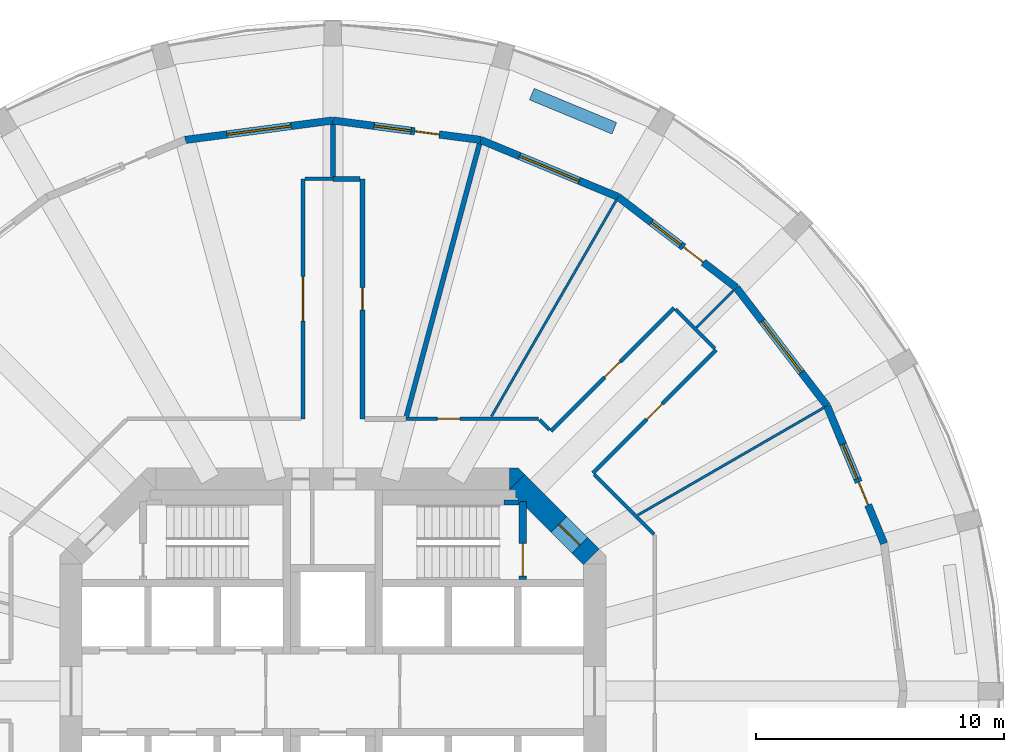
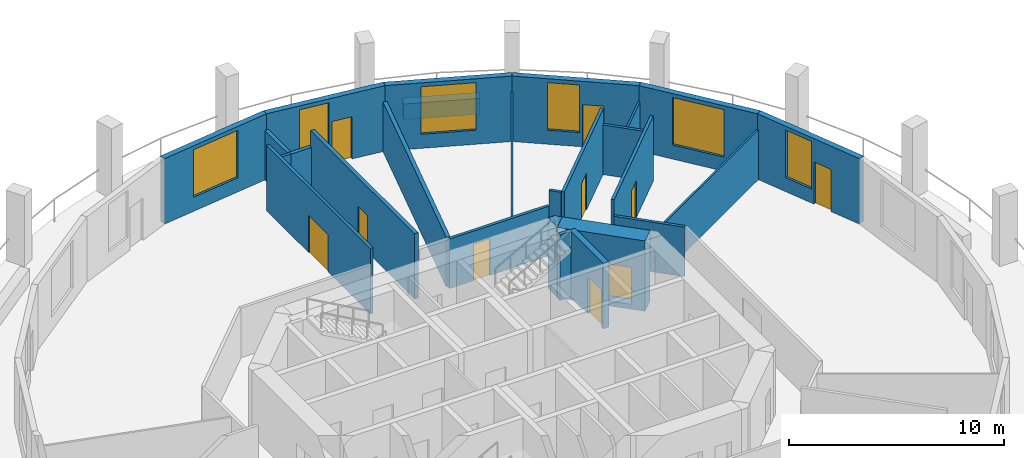
# One storey, part 6 of 9: 26 walls, 10 doors, 6 windows, 16 openings.
"""IFC4 building model written with IfcOpenShell, lengths in metres."""

from ifc_helpers import new_model, si_unit, direction, frame, frame_2d, origin, place, context, subcontext, project, spatial, polyline, rectangle, outline, extrude, material, layer, layer_set, type_object, element, fill, save


model = new_model("IFC4")

# Units and contexts
model_context = context("Model", 3, precision=1e-05, world=origin(), true_north=direction((0.0, 1.0)))
body_context = subcontext(model_context, "Body", "Model", "MODEL_VIEW")
ifc_project = project(units=[si_unit("LENGTHUNIT", "METRE"), si_unit("AREAUNIT", "SQUARE_METRE"), si_unit("VOLUMEUNIT", "CUBIC_METRE"), si_unit("PLANEANGLEUNIT", "RADIAN"), si_unit("MASSUNIT", "GRAM", prefix="KILO")], contexts=[model_context])

# Site, building, storey
site_placement = place(None, origin())
site = spatial("IfcSite", under=ifc_project, at=site_placement, CompositionType="ELEMENT")
building_placement = place(site_placement, origin())
building = spatial("IfcBuilding", under=site, at=building_placement, Name="Torre Triforio", CompositionType="ELEMENT")
storey_placement = place(building_placement, frame((0.0, 0.0, 55.0)))
storey = spatial("IfcBuildingStorey", under=building, at=storey_placement, Name="L11", CompositionType="ELEMENT", Elevation=55.0)

# Wall, opening, door
ifc_material_1 = material(Name="Concrete C60", Category="concrete")
ifc_layer_1 = layer(ifc_material_1, 0.89990234375)
ifc_layer_set_1 = layer_set([ifc_layer_1], Name="Concrete C60")
wall_type_1 = type_object("IfcWallType", Name="Core wall 900 mm C60 EI 120", PredefinedType="SHEAR", material=ifc_layer_set_1)
wall_1_placement = place(storey_placement, frame((7.418212890625, 8.418212890625, -0.280029296875), z_axis=(0.0, 0.0, 1.0), x_axis=(0.707106781187, -0.707106781187, 0.0)))
wall_1 = element("IfcWall", 1, at=wall_1_placement, inside=storey, type_object=wall_type_1, Name="Core wall", PredefinedType="SHEAR", context=body_context, shape_type="SweptSolid", body=[
    extrude(rectangle(XDim=4.24267578125, YDim=0.89990234375, at=frame_2d((2.121337890625, 0.0))), origin(), (0.0, 0.0, 1.0), 4.0),
])
opening_1_placement = place(wall_1_placement, frame((2.392578125, 0.0, 0.280029296875)))
opening_1 = element("IfcOpeningElement", 2, at=opening_1_placement, cuts=wall_1, Name="Opening ST2-EXIT", PredefinedType="OPENING", context=body_context, shape_type="SweptSolid", body=[
    extrude(rectangle(XDim=1.199951171875, YDim=2.10009765625, at=frame_2d((0.60009765625, 1.050048828125))), frame((0.0, 0.4599609375, 0.0), z_axis=(0.0, -1.0, 0.0), x_axis=(1.0, 0.0, 0.0)), (0.0, 0.0, 1.0), 0.919921875),
])
ifc_material_2 = material(Name="Hollow metal fire door leaf")
door_type_1 = type_object("IfcDoorType", Name="Stair lobby door 1200 x 2100 EI 60", OperationType="NOTDEFINED", PredefinedType="DOOR", material=ifc_material_2)
door_1_placement = place(opening_1_placement, origin())
door_1 = element("IfcDoor", 3, at=door_1_placement, inside=storey, type_object=door_type_1, Name="Core door ST2-EXIT", OperationType="SINGLE_SWING_RIGHT", OverallHeight=2.10009765625, OverallWidth=1.199951171875, PredefinedType="DOOR", context=body_context, shape_type="SweptSolid", body=[
    extrude(rectangle(XDim=1.199951171875, YDim=2.10009765625, at=frame_2d((0.60009765625, 1.050048828125))), frame((0.0, 0.02490234375, 0.0), z_axis=(0.0, -1.0, 0.0), x_axis=(1.0, 0.0, 0.0)), (0.0, 0.0, 1.0), 0.050048828125),
])
fill(opening_1, door_1)

# Wall
wall_2_placement = place(storey_placement, frame((0.0, 0.0, -0.280029296875)))
element("IfcWall", 4, at=wall_2_placement, inside=storey, type_object=wall_type_1, Name="Core wall", PredefinedType="SHEAR", context=body_context, shape_type="SweptSolid", body=[
    extrude(outline(polyline([(7.472900390625, 9.0), (7.736328125, 8.736328125), (7.1298828125, 8.1298828125), (7.1298828125, 9.0), (7.472900390625, 9.0)])), origin(), (0.0, 0.0, 1.0), 4.0),
])

# Wall, opening, door
ifc_material_3 = material(Name="Plasterboard on metal studs")
ifc_layer_2 = layer(ifc_material_3, 0.14990234375)
ifc_layer_set_2 = layer_set([ifc_layer_2], Name="Plasterboard on metal studs")
wall_type_2 = type_object("IfcWallType", Name="Corridor and tenancy wall 150 mm EI 60", PredefinedType="PARTITIONING", material=ifc_layer_set_2)
wall_3_placement = place(storey_placement, frame((-1.199951171875, 10.97509765625, 0.0), z_axis=(0.0, 0.0, 1.0), x_axis=(0.0, 1.0, 0.0)))
wall_3 = element("IfcWall", 5, at=wall_3_placement, inside=storey, type_object=wall_type_2, Name="Partition 17", PredefinedType="PARTITIONING", context=body_context, shape_type="SweptSolid", body=[
    extrude(rectangle(XDim=9.673583984375, YDim=0.14990234375, at=frame_2d((4.8369140625, 0.0))), origin(), (0.0, 0.0, 1.0), 3.719970703125),
])
opening_2_placement = place(wall_3_placement, frame((3.93701171875, 0.0, 0.0)))
opening_2 = element("IfcOpeningElement", 6, at=opening_2_placement, cuts=wall_3, Name="Opening N3-01", PredefinedType="OPENING", context=body_context, shape_type="SweptSolid", body=[
    extrude(rectangle(XDim=1.800048828125, YDim=2.10009765625, at=frame_2d((0.89990234375, 1.050048828125))), frame((0.0, 0.0849609375, 0.0), z_axis=(0.0, -1.0, 0.0), x_axis=(1.0, 0.0, 0.0)), (0.0, 0.0, 1.0), 0.169921875),
])
ifc_material_4 = material(Name="Timber", Category="wood")
door_type_2 = type_object("IfcDoorType", Name="Door 1800 x 2100 double leaf EI 30", OperationType="DOUBLE_DOOR_SINGLE_SWING", PredefinedType="DOOR", material=ifc_material_4)
door_2_placement = place(opening_2_placement, origin())
door_2 = element("IfcDoor", 7, at=door_2_placement, inside=storey, type_object=door_type_2, Name="Door N3-01", OperationType="DOUBLE_DOOR_SINGLE_SWING", OverallHeight=2.10009765625, OverallWidth=1.800048828125, PredefinedType="DOOR", context=body_context, shape_type="SweptSolid", body=[
    extrude(rectangle(XDim=1.800048828125, YDim=2.10009765625, at=frame_2d((0.89990234375, 1.050048828125))), frame((0.0, 0.02490234375, 0.0), z_axis=(0.0, -1.0, 0.0), x_axis=(1.0, 0.0, 0.0)), (0.0, 0.0, 1.0), 0.050048828125),
])
fill(opening_2, door_2)

# Wall
wall_4_placement = place(storey_placement, frame((-1.125, 20.648681640625, 0.0), z_axis=(0.0, 0.0, 1.0), x_axis=(1.0, 0.0, 0.0)))
element("IfcWall", 8, at=wall_4_placement, inside=storey, type_object=wall_type_2, Name="Partition 18", PredefinedType="PARTITIONING", context=body_context, shape_type="SweptSolid", body=[
    extrude(rectangle(XDim=1.125, YDim=0.14990234375, at=frame_2d((0.5625, 0.0))), origin(), (0.0, 0.0, 1.0), 2.820068359375),
])

# Wall, opening, door
wall_5_placement = place(storey_placement, frame((2.940673828125, 10.97509765625, 0.0), z_axis=(0.0, 0.0, 1.0), x_axis=(1.0, 0.0, 0.0)))
wall_5 = element("IfcWall", 9, at=wall_5_placement, inside=storey, type_object=wall_type_2, Name="Partition 22", PredefinedType="PARTITIONING", context=body_context, shape_type="SweptSolid", body=[
    extrude(rectangle(XDim=5.350341796875, YDim=0.14990234375, at=frame_2d((2.67529296875, 0.0))), origin(), (0.0, 0.0, 1.0), 2.820068359375),
])
opening_3_placement = place(wall_5_placement, frame((1.276611328125, 0.0, 0.0)))
opening_3 = element("IfcOpeningElement", 10, at=opening_3_placement, cuts=wall_5, Name="Opening N3-12", PredefinedType="OPENING", context=body_context, shape_type="SweptSolid", body=[
    extrude(rectangle(XDim=0.89990234375, YDim=2.10009765625, at=frame_2d((0.449951171875, 1.050048828125))), frame((0.0, 0.0849609375, 0.0), z_axis=(0.0, -1.0, 0.0), x_axis=(1.0, 0.0, 0.0)), (0.0, 0.0, 1.0), 0.169921875),
])
door_type_3 = type_object("IfcDoorType", Name="Door 900 x 2100 single leaf EI 30", OperationType="NOTDEFINED", PredefinedType="DOOR", material=ifc_material_4)
door_3_placement = place(opening_3_placement, origin())
door_3 = element("IfcDoor", 11, at=door_3_placement, inside=storey, type_object=door_type_3, Name="Door N3-12", OperationType="SINGLE_SWING_RIGHT", OverallHeight=2.10009765625, OverallWidth=0.89990234375, PredefinedType="DOOR", context=body_context, shape_type="SweptSolid", body=[
    extrude(rectangle(XDim=0.89990234375, YDim=2.10009765625, at=frame_2d((0.449951171875, 1.050048828125))), frame((0.0, 0.02490234375, 0.0), z_axis=(0.0, -1.0, 0.0), x_axis=(1.0, 0.0, 0.0)), (0.0, 0.0, 1.0), 0.050048828125),
])
fill(opening_3, door_3)

# Wall
wall_6_placement = place(storey_placement, frame((8.327880859375, 10.93798828125, 0.0), z_axis=(0.0, 0.0, 1.0), x_axis=(0.707106781187, -0.707106781187, 0.0)))
element("IfcWall", 12, at=wall_6_placement, inside=storey, type_object=wall_type_2, Name="Partition 23", PredefinedType="PARTITIONING", context=body_context, shape_type="SweptSolid", body=[
    extrude(rectangle(XDim=0.57080078125, YDim=0.14990234375, at=frame_2d((0.285400390625, 0.0))), origin(), (0.0, 0.0, 1.0), 3.719970703125),
])

# Wall, opening, door
wall_7_placement = place(storey_placement, frame((8.784423828125, 10.4814453125, 0.0), z_axis=(0.0, 0.0, 1.0), x_axis=(0.707089406061, 0.707124155885, 0.0)))
wall_7 = element("IfcWall", 13, at=wall_7_placement, inside=storey, type_object=wall_type_2, Name="Partition 24", PredefinedType="PARTITIONING", context=body_context, shape_type="SweptSolid", body=[
    extrude(rectangle(XDim=7.025634765625, YDim=0.14990234375, at=frame_2d((3.5126953125, 0.0))), origin(), (0.0, 0.0, 1.0), 3.719970703125),
])
opening_4_placement = place(wall_7_placement, frame((3.062744140625, 0.0, 0.0)))
opening_4 = element("IfcOpeningElement", 14, at=opening_4_placement, cuts=wall_7, Name="Opening N3-11", PredefinedType="OPENING", context=body_context, shape_type="SweptSolid", body=[
    extrude(rectangle(XDim=0.89990234375, YDim=2.10009765625, at=frame_2d((0.449951171875, 1.050048828125))), frame((0.0, 0.0849609375, 0.0), z_axis=(0.0, -1.0, 0.0), x_axis=(1.0, 0.0, 0.0)), (0.0, 0.0, 1.0), 0.169921875),
])
door_4_placement = place(opening_4_placement, origin())
door_4 = element("IfcDoor", 15, at=door_4_placement, inside=storey, type_object=door_type_3, Name="Door N3-11", OperationType="SINGLE_SWING_RIGHT", OverallHeight=2.10009765625, OverallWidth=0.89990234375, PredefinedType="DOOR", context=body_context, shape_type="SweptSolid", body=[
    extrude(rectangle(XDim=0.89990234375, YDim=2.10009765625, at=frame_2d((0.449951171875, 1.050048828125))), frame((0.0, 0.02490234375, 0.0), z_axis=(0.0, -1.0, 0.0), x_axis=(1.0, 0.0, 0.0)), (0.0, 0.0, 1.0), 0.050048828125),
])
fill(opening_4, door_4)

# Wall
wall_8_placement = place(storey_placement, frame((13.805419921875, 15.396240234375, 0.0), z_axis=(0.0, 0.0, 1.0), x_axis=(0.707106781187, -0.707106781187, 0.0)))
element("IfcWall", 16, at=wall_8_placement, inside=storey, type_object=wall_type_2, Name="Partition 25", PredefinedType="PARTITIONING", context=body_context, shape_type="SweptSolid", body=[
    extrude(rectangle(XDim=2.249755859375, YDim=0.14990234375, at=frame_2d((1.125, 0.0))), origin(), (0.0, 0.0, 1.0), 2.820068359375),
])

# Wall, opening, door
wall_9_placement = place(storey_placement, frame((15.449462890625, 13.752197265625, 0.0), z_axis=(0.0, 0.0, 1.0), x_axis=(-0.707124155885, -0.707089406061, 0.0)))
wall_9 = element("IfcWall", 17, at=wall_9_placement, inside=storey, type_object=wall_type_2, Name="Partition 26", PredefinedType="PARTITIONING", context=body_context, shape_type="SweptSolid", body=[
    extrude(rectangle(XDim=7.025634765625, YDim=0.14990234375, at=frame_2d((3.5126953125, 0.0))), origin(), (0.0, 0.0, 1.0), 3.719970703125),
])
opening_5_placement = place(wall_9_placement, frame((3.062744140625, 0.0, 0.0)))
opening_5 = element("IfcOpeningElement", 18, at=opening_5_placement, cuts=wall_9, Name="Opening N3-10", PredefinedType="OPENING", context=body_context, shape_type="SweptSolid", body=[
    extrude(rectangle(XDim=0.89990234375, YDim=2.10009765625, at=frame_2d((0.449951171875, 1.050048828125))), frame((0.0, 0.0849609375, 0.0), z_axis=(0.0, -1.0, 0.0), x_axis=(1.0, 0.0, 0.0)), (0.0, 0.0, 1.0), 0.169921875),
])
door_5_placement = place(opening_5_placement, origin())
door_5 = element("IfcDoor", 19, at=door_5_placement, inside=storey, type_object=door_type_3, Name="Door N3-10", OperationType="SINGLE_SWING_LEFT", OverallHeight=2.10009765625, OverallWidth=0.89990234375, PredefinedType="DOOR", context=body_context, shape_type="SweptSolid", body=[
    extrude(rectangle(XDim=0.89990234375, YDim=2.10009765625, at=frame_2d((0.449951171875, 1.050048828125))), frame((0.0, 0.02490234375, 0.0), z_axis=(0.0, -1.0, 0.0), x_axis=(1.0, 0.0, 0.0)), (0.0, 0.0, 1.0), 0.050048828125),
])
fill(opening_5, door_5)

# Walls
wall_10_placement = place(storey_placement, frame((10.534423828125, 8.7314453125, 0.0), z_axis=(0.0, 0.0, 1.0), x_axis=(0.707106781187, -0.707106781187, 0.0)))
element("IfcWall", 20, at=wall_10_placement, inside=storey, type_object=wall_type_2, Name="Partition 27", PredefinedType="PARTITIONING", context=body_context, shape_type="SweptSolid", body=[
    extrude(rectangle(XDim=3.399169921875, YDim=0.14990234375, at=frame_2d((1.69970703125, 0.0))), origin(), (0.0, 0.0, 1.0), 2.820068359375),
])
ifc_layer_3 = layer(ifc_material_3, 0.10009765625)
ifc_layer_set_3 = layer_set([ifc_layer_3], Name="Plasterboard on metal studs")
wall_type_3 = type_object("IfcWallType", Name="Partition 100 mm board on metal studs", PredefinedType="PARTITIONING", material=ifc_layer_set_3)
wall_11_placement = place(storey_placement, frame((12.294189453125, 7.097900390625, 0.0), z_axis=(0.0, 0.0, 1.0), x_axis=(0.866010547425, 0.500025731086, 0.0)))
element("IfcWall", 21, at=wall_11_placement, inside=storey, type_object=wall_type_3, Name="Partition 31", PredefinedType="PARTITIONING", context=body_context, shape_type="SweptSolid", body=[
    extrude(rectangle(XDim=8.640625, YDim=0.10009765625, at=frame_2d((4.3203125, 0.0))), origin(), (0.0, 0.0, 1.0), 2.820068359375),
])
wall_12_placement = place(storey_placement, frame((14.65380859375, 14.65380859375, 0.0), z_axis=(0.0, 0.0, 1.0), x_axis=(0.707106781187, 0.707106781187, 0.0)))
element("IfcWall", 22, at=wall_12_placement, inside=storey, type_object=wall_type_3, Name="Partition 32", PredefinedType="PARTITIONING", context=body_context, shape_type="SweptSolid", body=[
    extrude(rectangle(XDim=2.113037109375, YDim=0.10009765625, at=frame_2d((1.056640625, 0.0))), origin(), (0.0, 0.0, 1.0), 2.820068359375),
])
wall_13_placement = place(storey_placement, frame((6.393798828125, 11.07470703125, 0.0), z_axis=(0.0, 0.0, 1.0), x_axis=(0.500024592647, 0.866011204747, 0.0)))
element("IfcWall", 23, at=wall_13_placement, inside=storey, type_object=wall_type_3, Name="Partition 33", PredefinedType="PARTITIONING", context=body_context, shape_type="SweptSolid", body=[
    extrude(rectangle(XDim=10.048828125, YDim=0.10009765625, at=frame_2d((5.0244140625, 0.0))), origin(), (0.0, 0.0, 1.0), 2.820068359375),
])
ifc_material_5 = material(Name="Masonry block", Category="masonry")
ifc_layer_4 = layer(ifc_material_5, 0.199951171875)
ifc_layer_set_4 = layer_set([ifc_layer_4], Name="Masonry block")
wall_type_4 = type_object("IfcWallType", Name="Plant room wall 200 mm block EI 120", PredefinedType="PARTITIONING", material=ifc_layer_set_4)
wall_14_placement = place(storey_placement, frame((0.0, 20.648681640625, 0.0), z_axis=(0.0, 0.0, 1.0), x_axis=(1.0, 0.0, 0.0)))
element("IfcWall", 24, at=wall_14_placement, inside=storey, type_object=wall_type_4, Name="Partition 19", PredefinedType="PARTITIONING", context=body_context, shape_type="SweptSolid", body=[
    extrude(rectangle(XDim=1.10009765625, YDim=0.199951171875, at=frame_2d((0.550048828125, 0.0))), origin(), (0.0, 0.0, 1.0), 2.820068359375),
])

# Wall, opening, door
wall_15_placement = place(storey_placement, frame((1.199951171875, 20.648681640625, 0.0), z_axis=(0.0, 0.0, 1.0), x_axis=(0.0, -1.0, 0.0)))
wall_15 = element("IfcWall", 25, at=wall_15_placement, inside=storey, type_object=wall_type_4, Name="Partition 20", PredefinedType="PARTITIONING", context=body_context, shape_type="SweptSolid", body=[
    extrude(rectangle(XDim=9.673583984375, YDim=0.199951171875, at=frame_2d((4.8369140625, 0.0))), origin(), (0.0, 0.0, 1.0), 3.719970703125),
])
opening_6_placement = place(wall_15_placement, frame((4.386962890625, 0.0, 0.0)))
opening_6 = element("IfcOpeningElement", 26, at=opening_6_placement, cuts=wall_15, Name="Opening N3-13", PredefinedType="OPENING", context=body_context, shape_type="SweptSolid", body=[
    extrude(rectangle(XDim=0.89990234375, YDim=2.10009765625, at=frame_2d((0.449951171875, 1.050048828125))), frame((0.0, 0.10986328125, 0.0), z_axis=(0.0, -1.0, 0.0), x_axis=(1.0, 0.0, 0.0)), (0.0, 0.0, 1.0), 0.219970703125),
])
door_type_4 = type_object("IfcDoorType", Name="Door 900 x 2100 single leaf EI 60", OperationType="NOTDEFINED", PredefinedType="DOOR", material=ifc_material_2)
door_6_placement = place(opening_6_placement, origin())
door_6 = element("IfcDoor", 27, at=door_6_placement, inside=storey, type_object=door_type_4, Name="Door N3-13", OperationType="SINGLE_SWING_RIGHT", OverallHeight=2.10009765625, OverallWidth=0.89990234375, PredefinedType="DOOR", context=body_context, shape_type="SweptSolid", body=[
    extrude(rectangle(XDim=0.89990234375, YDim=2.10009765625, at=frame_2d((0.449951171875, 1.050048828125))), frame((0.0, 0.02490234375, 0.0), z_axis=(0.0, -1.0, 0.0), x_axis=(1.0, 0.0, 0.0)), (0.0, 0.0, 1.0), 0.050048828125),
])
fill(opening_6, door_6)

# Walls
wall_16_placement = place(storey_placement, frame((2.968017578125, 11.076416015625, 0.0), z_axis=(0.0, 0.0, 1.0), x_axis=(0.258815869134, 0.965926677282, 0.0)))
element("IfcWall", 28, at=wall_16_placement, inside=storey, type_object=wall_type_4, Name="Partition 34", PredefinedType="PARTITIONING", context=body_context, shape_type="SweptSolid", body=[
    extrude(rectangle(XDim=11.36962890625, YDim=0.199951171875, at=frame_2d((5.684814453125, 0.0))), origin(), (0.0, 0.0, 1.0), 2.820068359375),
])
wall_17_placement = place(storey_placement, frame((0.0, 20.748779296875, 0.0), z_axis=(0.0, 0.0, 1.0), x_axis=(0.0, 1.0, 0.0)))
element("IfcWall", 29, at=wall_17_placement, inside=storey, type_object=wall_type_4, Name="Partition 35", PredefinedType="PARTITIONING", context=body_context, shape_type="SweptSolid", body=[
    extrude(rectangle(XDim=2.087890625, YDim=0.199951171875, at=frame_2d((1.0439453125, 0.0))), origin(), (0.0, 0.0, 1.0), 2.820068359375),
])
ifc_material_6 = material(Name="Limestone cladding", Category="masonry")
ifc_layer_5 = layer(ifc_material_6, 0.10009765625)
ifc_material_7 = material(Name="Concrete C40", Category="concrete")
ifc_layer_6 = layer(ifc_material_7, 0.39990234375)
ifc_layer_set_5 = layer_set([ifc_layer_5, ifc_layer_6], Name="Limestone cladding / Concrete C40")
wall_type_5 = type_object("IfcWallType", Name="Planter wall 500", PredefinedType="PARAPET", material=ifc_layer_set_5)
wall_18_placement = place(storey_placement, frame((11.344970703125, 22.685302734375, 0.0), z_axis=(0.0, 0.0, 1.0), x_axis=(-0.923885420167, 0.382669217998, 0.0)))
element("IfcWall", 30, at=wall_18_placement, inside=storey, type_object=wall_type_5, Name="Planter L11 bay 05", PredefinedType="PARAPET", context=body_context, shape_type="SweptSolid", body=[
    extrude(rectangle(XDim=3.60009765625, YDim=0.5, at=frame_2d((1.800048828125, 0.0))), origin(), (0.0, 0.0, 1.0), 0.89990234375),
])
ifc_layer_7 = layer(ifc_material_1, 0.199951171875)
ifc_layer_set_6 = layer_set([ifc_layer_7], Name="Concrete C60")
wall_type_6 = type_object("IfcWallType", Name="Stair wall 200 mm C60 EI 120", PredefinedType="SHEAR", material=ifc_layer_set_6)
wall_19_placement = place(storey_placement, frame((6.89990234375, 7.60009765625, 0.0), z_axis=(0.0, 0.0, 1.0), x_axis=(1.0, 0.0, 0.0)))
element("IfcWall", 31, at=wall_19_placement, inside=storey, type_object=wall_type_6, Name="Stair wall", PredefinedType="SHEAR", context=body_context, shape_type="SweptSolid", body=[
    extrude(rectangle(XDim=0.60009765625, YDim=0.199951171875, at=frame_2d((0.300048828125, 0.0))), origin(), (0.0, 0.0, 1.0), 3.719970703125),
])

# Wall, opening, door
ifc_layer_8 = layer(ifc_material_1, 0.300048828125)
ifc_layer_set_7 = layer_set([ifc_layer_8], Name="Concrete C60")
wall_type_7 = type_object("IfcWallType", Name="Stair wall 300 mm C60 EI 120", PredefinedType="SHEAR", material=ifc_layer_set_7)
wall_20_placement = place(storey_placement, frame((7.64990234375, 4.5, 0.0), z_axis=(0.0, 0.0, 1.0), x_axis=(0.0, 1.0, 0.0)))
wall_20 = element("IfcWall", 32, at=wall_20_placement, inside=storey, type_object=wall_type_7, Name="Stair wall", PredefinedType="SHEAR", context=body_context, shape_type="SweptSolid", body=[
    extrude(rectangle(XDim=3.139892578125, YDim=0.300048828125, at=frame_2d((1.56982421875, 0.0))), origin(), (0.0, 0.0, 1.0), 3.719970703125),
])
opening_7_placement = place(wall_20_placement, frame((0.139892578125, 0.0, 0.0)))
opening_7 = element("IfcOpeningElement", 33, at=opening_7_placement, cuts=wall_20, Name="Opening ST2-STA", PredefinedType="OPENING", context=body_context, shape_type="SweptSolid", body=[
    extrude(rectangle(XDim=1.320068359375, YDim=2.10009765625, at=frame_2d((0.66015625, 1.050048828125))), frame((0.0, 0.159912109375, 0.0), z_axis=(0.0, -1.0, 0.0), x_axis=(1.0, 0.0, 0.0)), (0.0, 0.0, 1.0), 0.320068359375),
])
door_type_5 = type_object("IfcDoorType", Name="Stair door 1320 x 2100 EI 90", OperationType="DOUBLE_DOOR_SINGLE_SWING", PredefinedType="DOOR", material=ifc_material_2)
door_7_placement = place(opening_7_placement, origin())
door_7 = element("IfcDoor", 34, at=door_7_placement, inside=storey, type_object=door_type_5, Name="Core door ST2-ST", OperationType="DOUBLE_DOOR_SINGLE_SWING", OverallHeight=2.10009765625, OverallWidth=1.320068359375, PredefinedType="DOOR", context=body_context, shape_type="SweptSolid", body=[
    extrude(rectangle(XDim=1.320068359375, YDim=2.10009765625, at=frame_2d((0.66015625, 1.050048828125))), frame((0.0, 0.02490234375, 0.0), z_axis=(0.0, -1.0, 0.0), x_axis=(1.0, 0.0, 0.0)), (0.0, 0.0, 1.0), 0.050048828125),
])
fill(opening_7, door_7)

# Wall, openings, door, window
ifc_layer_9 = layer(ifc_material_6, 0.10009765625)
ifc_layer_10 = layer(ifc_material_7, 0.199951171875)
ifc_layer_set_8 = layer_set([ifc_layer_9, ifc_layer_10], Name="Limestone cladding / Concrete C40")
wall_type_8 = type_object("IfcWallType", Name="Stone-faced composite wall 300", PredefinedType="STANDARD", material=ifc_layer_set_8)
wall_21_placement = place(storey_placement, frame((22.21630859375, 5.952880859375, 0.0), z_axis=(0.0, 0.0, 1.0), x_axis=(-0.382671411433, 0.923884511653, 0.0)))
wall_21 = element("IfcWall", 35, at=wall_21_placement, inside=storey, type_object=wall_type_8, Name="External wall L11 bay 02", PredefinedType="STANDARD", context=body_context, shape_type="SweptSolid", body=[
    extrude(rectangle(XDim=6.004150390625, YDim=0.300048828125, at=frame_2d((3.001953125, 0.0))), origin(), (0.0, 0.0, 1.0), 3.719970703125),
])
opening_8_placement = place(wall_21_placement, frame((1.677001953125, 0.0, 0.0)))
opening_8 = element("IfcOpeningElement", 36, at=opening_8_placement, cuts=wall_21, Name="Opening N3-D02", PredefinedType="OPENING", context=body_context, shape_type="SweptSolid", body=[
    extrude(rectangle(XDim=1.0, YDim=2.39990234375, at=frame_2d((0.5, 1.199951171875))), frame((0.0, 0.159912109375, 0.0), z_axis=(0.0, -1.0, 0.0), x_axis=(1.0, 0.0, 0.0)), (0.0, 0.0, 1.0), 0.320068359375),
])
opening_9_placement = place(wall_21_placement, frame((2.8271484375, 0.0, 0.800048828125)))
opening_9 = element("IfcOpeningElement", 37, at=opening_9_placement, cuts=wall_21, Name="Opening N3-W02A", PredefinedType="OPENING", context=body_context, shape_type="SweptSolid", body=[
    extrude(rectangle(XDim=1.5, YDim=2.699951171875, at=frame_2d((0.75, 1.35009765625))), frame((0.0, 0.159912109375, 0.0), z_axis=(0.0, -1.0, 0.0), x_axis=(1.0, 0.0, 0.0)), (0.0, 0.0, 1.0), 0.320068359375),
])
ifc_material_8 = material(Name="Aluminium frame with clear double glazing", Category="aluminium")
door_type_6 = type_object("IfcDoorType", Name="Loggia door 1000 x 2400", OperationType="NOTDEFINED", PredefinedType="DOOR", material=ifc_material_8)
door_8_placement = place(opening_8_placement, origin())
door_8 = element("IfcDoor", 38, at=door_8_placement, inside=storey, type_object=door_type_6, Name="Loggia door L11 bay 02", OperationType="SINGLE_SWING_LEFT", OverallHeight=2.39990234375, OverallWidth=1.0, PredefinedType="DOOR", context=body_context, shape_type="SweptSolid", body=[
    extrude(rectangle(XDim=1.0, YDim=2.39990234375, at=frame_2d((0.5, 1.199951171875))), frame((0.0, 0.02490234375, 0.0), z_axis=(0.0, -1.0, 0.0), x_axis=(1.0, 0.0, 0.0)), (0.0, 0.0, 1.0), 0.050048828125),
])
fill(opening_8, door_8)
window_type_1 = type_object("IfcWindowType", Name="Side window 1500 x 2700", PartitioningType="SINGLE_PANEL", PredefinedType="WINDOW", material=ifc_material_8)
window_1_placement = place(opening_9_placement, origin())
window_1 = element("IfcWindow", 39, at=window_1_placement, inside=storey, type_object=window_type_1, Name="Side window EWN12 L11 bay 02", OverallHeight=2.699951171875, OverallWidth=1.5, PartitioningType="SINGLE_PANEL", PredefinedType="WINDOW", context=body_context, shape_type="SweptSolid", body=[
    extrude(rectangle(XDim=1.5, YDim=2.699951171875, at=frame_2d((0.75, 1.35009765625))), frame((0.0, 0.030029296875, 0.0), z_axis=(0.0, -1.0, 0.0), x_axis=(1.0, 0.0, 0.0)), (0.0, 0.0, 1.0), 0.06005859375),
])
fill(opening_9, window_1)

# Wall, opening, window
wall_22_placement = place(storey_placement, frame((19.918701171875, 11.5, 0.0), z_axis=(0.0, 0.0, 1.0), x_axis=(-0.608778912074, 0.793339924758, 0.0)))
wall_22 = element("IfcWall", 40, at=wall_22_placement, inside=storey, type_object=wall_type_8, Name="External wall L11 bay 03", PredefinedType="STANDARD", context=body_context, shape_type="SweptSolid", body=[
    extrude(rectangle(XDim=6.004150390625, YDim=0.300048828125, at=frame_2d((3.001953125, 0.0))), origin(), (0.0, 0.0, 1.0), 3.719970703125),
])
opening_10_placement = place(wall_22_placement, frame((1.7021484375, 0.0, 0.800048828125)))
opening_10 = element("IfcOpeningElement", 41, at=opening_10_placement, cuts=wall_22, Name="Opening N3-W03", PredefinedType="OPENING", context=body_context, shape_type="SweptSolid", body=[
    extrude(rectangle(XDim=2.60009765625, YDim=2.699951171875, at=frame_2d((1.300048828125, 1.35009765625))), frame((0.0, 0.159912109375, 0.0), z_axis=(0.0, -1.0, 0.0), x_axis=(1.0, 0.0, 0.0)), (0.0, 0.0, 1.0), 0.320068359375),
])
window_type_2 = type_object("IfcWindowType", Name="Punched window 2600 x 2700", PartitioningType="DOUBLE_PANEL_VERTICAL", PredefinedType="WINDOW", material=ifc_material_8)
window_2_placement = place(opening_10_placement, origin())
window_2 = element("IfcWindow", 42, at=window_2_placement, inside=storey, type_object=window_type_2, Name="Window EWN2 L11 bay 03", OverallHeight=2.699951171875, OverallWidth=2.60009765625, PartitioningType="SINGLE_PANEL", PredefinedType="WINDOW", context=body_context, shape_type="SweptSolid", body=[
    extrude(rectangle(XDim=2.60009765625, YDim=2.699951171875, at=frame_2d((1.300048828125, 1.35009765625))), frame((0.0, 0.030029296875, 0.0), z_axis=(0.0, -1.0, 0.0), x_axis=(1.0, 0.0, 0.0)), (0.0, 0.0, 1.0), 0.06005859375),
])
fill(opening_10, window_2)

# Wall, openings, door, window
wall_23_placement = place(storey_placement, frame((16.263427734375, 16.263427734375, 0.0), z_axis=(0.0, 0.0, 1.0), x_axis=(-0.793339924758, 0.608778912074, 0.0)))
wall_23 = element("IfcWall", 43, at=wall_23_placement, inside=storey, type_object=wall_type_8, Name="External wall L11 bay 04", PredefinedType="STANDARD", context=body_context, shape_type="SweptSolid", body=[
    extrude(rectangle(XDim=6.004150390625, YDim=0.300048828125, at=frame_2d((3.001953125, 0.0))), origin(), (0.0, 0.0, 1.0), 3.719970703125),
])
opening_11_placement = place(wall_23_placement, frame((1.677001953125, 0.0, 0.0)))
opening_11 = element("IfcOpeningElement", 44, at=opening_11_placement, cuts=wall_23, Name="Opening N3-D04", PredefinedType="OPENING", context=body_context, shape_type="SweptSolid", body=[
    extrude(rectangle(XDim=1.0, YDim=2.39990234375, at=frame_2d((0.5, 1.199951171875))), frame((0.0, 0.159912109375, 0.0), z_axis=(0.0, -1.0, 0.0), x_axis=(1.0, 0.0, 0.0)), (0.0, 0.0, 1.0), 0.320068359375),
])
opening_12_placement = place(wall_23_placement, frame((2.8271484375, 0.0, 0.800048828125)))
opening_12 = element("IfcOpeningElement", 45, at=opening_12_placement, cuts=wall_23, Name="Opening N3-W04A", PredefinedType="OPENING", context=body_context, shape_type="SweptSolid", body=[
    extrude(rectangle(XDim=1.5, YDim=2.699951171875, at=frame_2d((0.75, 1.35009765625))), frame((0.0, 0.159912109375, 0.0), z_axis=(0.0, -1.0, 0.0), x_axis=(1.0, 0.0, 0.0)), (0.0, 0.0, 1.0), 0.320068359375),
])
door_9_placement = place(opening_11_placement, origin())
door_9 = element("IfcDoor", 46, at=door_9_placement, inside=storey, type_object=door_type_6, Name="Loggia door L11 bay 04", OperationType="SINGLE_SWING_LEFT", OverallHeight=2.39990234375, OverallWidth=1.0, PredefinedType="DOOR", context=body_context, shape_type="SweptSolid", body=[
    extrude(rectangle(XDim=1.0, YDim=2.39990234375, at=frame_2d((0.5, 1.199951171875))), frame((0.0, 0.02490234375, 0.0), z_axis=(0.0, -1.0, 0.0), x_axis=(1.0, 0.0, 0.0)), (0.0, 0.0, 1.0), 0.050048828125),
])
fill(opening_11, door_9)
window_3_placement = place(opening_12_placement, origin())
window_3 = element("IfcWindow", 47, at=window_3_placement, inside=storey, type_object=window_type_1, Name="Side window EWN12 L11 bay 04", OverallHeight=2.699951171875, OverallWidth=1.5, PartitioningType="SINGLE_PANEL", PredefinedType="WINDOW", context=body_context, shape_type="SweptSolid", body=[
    extrude(rectangle(XDim=1.5, YDim=2.699951171875, at=frame_2d((0.75, 1.35009765625))), frame((0.0, 0.030029296875, 0.0), z_axis=(0.0, -1.0, 0.0), x_axis=(1.0, 0.0, 0.0)), (0.0, 0.0, 1.0), 0.06005859375),
])
fill(opening_12, window_3)

# Wall, opening, window
wall_24_placement = place(storey_placement, frame((11.5, 19.918701171875, 0.0), z_axis=(0.0, 0.0, 1.0), x_axis=(-0.923884511653, 0.382671411433, 0.0)))
wall_24 = element("IfcWall", 48, at=wall_24_placement, inside=storey, type_object=wall_type_8, Name="External wall L11 bay 05", PredefinedType="STANDARD", context=body_context, shape_type="SweptSolid", body=[
    extrude(rectangle(XDim=6.004150390625, YDim=0.300048828125, at=frame_2d((3.001953125, 0.0))), origin(), (0.0, 0.0, 1.0), 3.719970703125),
])
opening_13_placement = place(wall_24_placement, frame((1.7021484375, 0.0, 0.800048828125)))
opening_13 = element("IfcOpeningElement", 49, at=opening_13_placement, cuts=wall_24, Name="Opening N3-W05", PredefinedType="OPENING", context=body_context, shape_type="SweptSolid", body=[
    extrude(rectangle(XDim=2.60009765625, YDim=2.699951171875, at=frame_2d((1.300048828125, 1.35009765625))), frame((0.0, 0.159912109375, 0.0), z_axis=(0.0, -1.0, 0.0), x_axis=(1.0, 0.0, 0.0)), (0.0, 0.0, 1.0), 0.320068359375),
])
window_4_placement = place(opening_13_placement, origin())
window_4 = element("IfcWindow", 50, at=window_4_placement, inside=storey, type_object=window_type_2, Name="Window EWN2 L11 bay 05", OverallHeight=2.699951171875, OverallWidth=2.60009765625, PartitioningType="SINGLE_PANEL", PredefinedType="WINDOW", context=body_context, shape_type="SweptSolid", body=[
    extrude(rectangle(XDim=2.60009765625, YDim=2.699951171875, at=frame_2d((1.300048828125, 1.35009765625))), frame((0.0, 0.030029296875, 0.0), z_axis=(0.0, -1.0, 0.0), x_axis=(1.0, 0.0, 0.0)), (0.0, 0.0, 1.0), 0.06005859375),
])
fill(opening_13, window_4)

# Wall, openings, door, window
wall_25_placement = place(storey_placement, frame((5.952880859375, 22.21630859375, 0.0), z_axis=(0.0, 0.0, 1.0), x_axis=(-0.991445297315, 0.130522880875, 0.0)))
wall_25 = element("IfcWall", 51, at=wall_25_placement, inside=storey, type_object=wall_type_8, Name="External wall L11 bay 06", PredefinedType="STANDARD", context=body_context, shape_type="SweptSolid", body=[
    extrude(rectangle(XDim=6.004150390625, YDim=0.300048828125, at=frame_2d((3.001953125, 0.0))), origin(), (0.0, 0.0, 1.0), 3.719970703125),
])
opening_14_placement = place(wall_25_placement, frame((1.677001953125, 0.0, 0.0)))
opening_14 = element("IfcOpeningElement", 52, at=opening_14_placement, cuts=wall_25, Name="Opening N3-D06", PredefinedType="OPENING", context=body_context, shape_type="SweptSolid", body=[
    extrude(rectangle(XDim=1.0, YDim=2.39990234375, at=frame_2d((0.5, 1.199951171875))), frame((0.0, 0.159912109375, 0.0), z_axis=(0.0, -1.0, 0.0), x_axis=(1.0, 0.0, 0.0)), (0.0, 0.0, 1.0), 0.320068359375),
])
opening_15_placement = place(wall_25_placement, frame((2.8271484375, 0.0, 0.800048828125)))
opening_15 = element("IfcOpeningElement", 53, at=opening_15_placement, cuts=wall_25, Name="Opening N3-W06A", PredefinedType="OPENING", context=body_context, shape_type="SweptSolid", body=[
    extrude(rectangle(XDim=1.5, YDim=2.699951171875, at=frame_2d((0.75, 1.35009765625))), frame((0.0, 0.159912109375, 0.0), z_axis=(0.0, -1.0, 0.0), x_axis=(1.0, 0.0, 0.0)), (0.0, 0.0, 1.0), 0.320068359375),
])
door_10_placement = place(opening_14_placement, origin())
door_10 = element("IfcDoor", 54, at=door_10_placement, inside=storey, type_object=door_type_6, Name="Loggia door L11 bay 06", OperationType="SINGLE_SWING_LEFT", OverallHeight=2.39990234375, OverallWidth=1.0, PredefinedType="DOOR", context=body_context, shape_type="SweptSolid", body=[
    extrude(rectangle(XDim=1.0, YDim=2.39990234375, at=frame_2d((0.5, 1.199951171875))), frame((0.0, 0.02490234375, 0.0), z_axis=(0.0, -1.0, 0.0), x_axis=(1.0, 0.0, 0.0)), (0.0, 0.0, 1.0), 0.050048828125),
])
fill(opening_14, door_10)
window_5_placement = place(opening_15_placement, origin())
window_5 = element("IfcWindow", 55, at=window_5_placement, inside=storey, type_object=window_type_1, Name="Side window EWN12 L11 bay 06", OverallHeight=2.699951171875, OverallWidth=1.5, PartitioningType="SINGLE_PANEL", PredefinedType="WINDOW", context=body_context, shape_type="SweptSolid", body=[
    extrude(rectangle(XDim=1.5, YDim=2.699951171875, at=frame_2d((0.75, 1.35009765625))), frame((0.0, 0.030029296875, 0.0), z_axis=(0.0, -1.0, 0.0), x_axis=(1.0, 0.0, 0.0)), (0.0, 0.0, 1.0), 0.06005859375),
])
fill(opening_15, window_5)

# Wall, opening, window
wall_26_placement = place(storey_placement, frame((0.0, 23.0, 0.0), z_axis=(0.0, 0.0, 1.0), x_axis=(-0.991445297315, -0.130522880875, 0.0)))
wall_26 = element("IfcWall", 56, at=wall_26_placement, inside=storey, type_object=wall_type_8, Name="External wall L11 bay 07", PredefinedType="STANDARD", context=body_context, shape_type="SweptSolid", body=[
    extrude(rectangle(XDim=6.004150390625, YDim=0.300048828125, at=frame_2d((3.001953125, 0.0))), origin(), (0.0, 0.0, 1.0), 3.719970703125),
])
opening_16_placement = place(wall_26_placement, frame((1.7021484375, 0.0, 0.800048828125)))
opening_16 = element("IfcOpeningElement", 57, at=opening_16_placement, cuts=wall_26, Name="Opening N3-W07", PredefinedType="OPENING", context=body_context, shape_type="SweptSolid", body=[
    extrude(rectangle(XDim=2.60009765625, YDim=2.699951171875, at=frame_2d((1.300048828125, 1.35009765625))), frame((0.0, 0.159912109375, 0.0), z_axis=(0.0, -1.0, 0.0), x_axis=(1.0, 0.0, 0.0)), (0.0, 0.0, 1.0), 0.320068359375),
])
window_6_placement = place(opening_16_placement, origin())
window_6 = element("IfcWindow", 58, at=window_6_placement, inside=storey, type_object=window_type_2, Name="Window EWN2 L11 bay 07", OverallHeight=2.699951171875, OverallWidth=2.60009765625, PartitioningType="SINGLE_PANEL", PredefinedType="WINDOW", context=body_context, shape_type="SweptSolid", body=[
    extrude(rectangle(XDim=2.60009765625, YDim=2.699951171875, at=frame_2d((1.300048828125, 1.35009765625))), frame((0.0, 0.030029296875, 0.0), z_axis=(0.0, -1.0, 0.0), x_axis=(1.0, 0.0, 0.0)), (0.0, 0.0, 1.0), 0.06005859375),
])
fill(opening_16, window_6)

save(model, "model.ifc")
